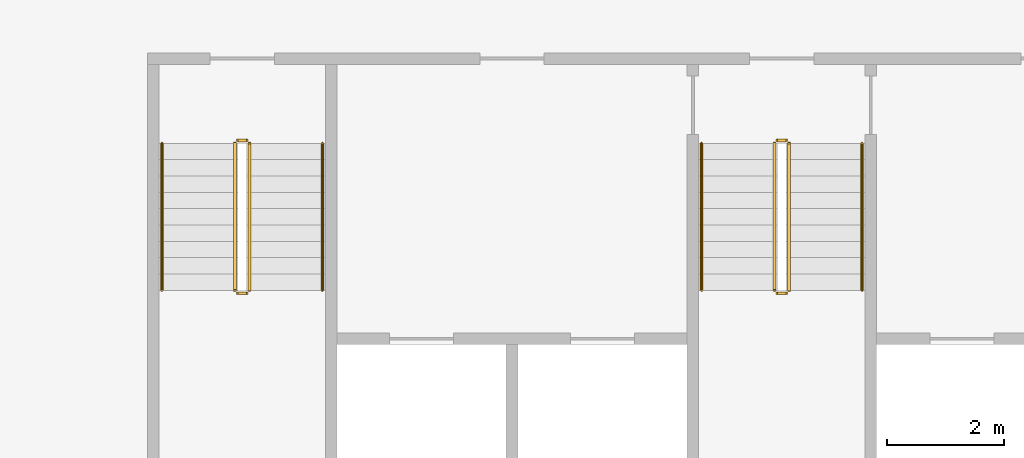
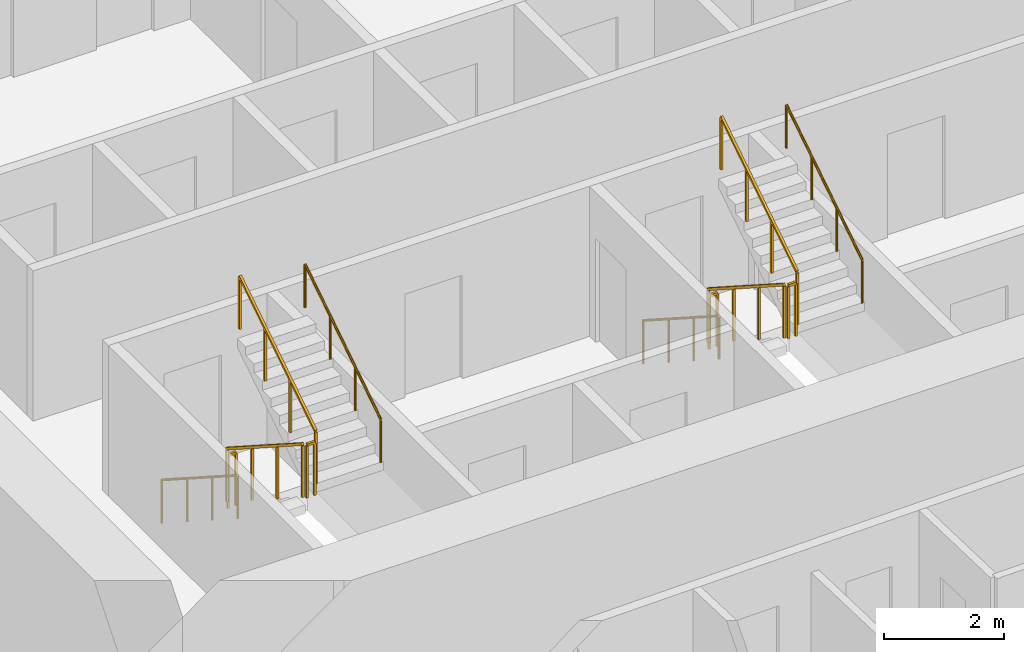
# One storey, part 15 of 17: 12 railings.
"""IFC4 building model written with IfcOpenShell, lengths in metres."""

from ifc_helpers import new_model, si_unit, direction, frame, origin, origin_2d, place, context, subcontext, project, spatial, rectangle, circle, extrude, material, type_object, element, save


model = new_model("IFC4")

# Units and contexts
model_context = context("Model", 3, precision=1e-05, world=origin(), true_north=direction((0.0, 1.0)))
body_context = subcontext(model_context, "Body", "Model", "MODEL_VIEW")
ifc_project = project(units=[si_unit("LENGTHUNIT", "METRE"), si_unit("AREAUNIT", "SQUARE_METRE"), si_unit("VOLUMEUNIT", "CUBIC_METRE"), si_unit("PLANEANGLEUNIT", "RADIAN"), si_unit("MASSUNIT", "GRAM", prefix="KILO")], contexts=[model_context])

# Site, building, storey
site_placement = place(None, origin())
site = spatial("IfcSite", under=ifc_project, at=site_placement, CompositionType="ELEMENT")
building_placement = place(site_placement, origin())
building = spatial("IfcBuilding", under=site, at=building_placement, Name="Mangrove Gate Tower", CompositionType="ELEMENT")
storey_placement = place(building_placement, frame((0.0, 0.0, 79.300048828125)))
storey = spatial("IfcBuildingStorey", under=building, at=storey_placement, Name="L19", CompositionType="ELEMENT", Elevation=79.300048828125)

# Railings
ifc_material_1 = material(Name="Stainless steel 316", Category="steel")
railing_type_1 = type_object("IfcRailingType", Name="Core stair guard 1100", PredefinedType="GUARDRAIL", material=ifc_material_1)
railing_1_placement = place(storey_placement, frame((-9.39990234375, -4.64990234375, 0.179931640625)))
element("IfcRailing", 1, at=railing_1_placement, inside=storey, type_object=railing_type_1, Name="L19 ST1 stair guard 1", PredefinedType="GUARDRAIL", context=body_context, shape_type="SweptSolid", body=[
    extrude(rectangle(XDim=0.048095703125, YDim=0.048095703125, at=origin_2d()), frame((0.0, 0.0, 1.076171875), z_axis=(0.0, -0.841162588446, 0.540782303519), x_axis=(1.0, 0.0, 0.0)), (0.0, 0.0, 1.0), 2.995849609375),
    extrude(rectangle(XDim=0.0419921875, YDim=0.0419921875, at=origin_2d()), origin(), (0.0, 0.0, 1.0), 1.052001953125),
    extrude(rectangle(XDim=0.0419921875, YDim=0.0419921875, at=origin_2d()), frame((0.0, -0.840087890625, 0.5400390625)), (0.0, 0.0, 1.0), 1.052001953125),
    extrude(rectangle(XDim=0.0419921875, YDim=0.0419921875, at=origin_2d()), frame((0.0, -1.679931640625, 1.080078125)), (0.0, 0.0, 1.0), 1.052001953125),
    extrude(rectangle(XDim=0.0419921875, YDim=0.0419921875, at=origin_2d()), frame((0.0, -2.52001953125, 1.6201171875)), (0.0, 0.0, 1.0), 1.052001953125),
])
railing_2_placement = place(storey_placement, frame((-9.35009765625, -7.219970703125, 1.800048828125)))
element("IfcRailing", 2, at=railing_2_placement, inside=storey, type_object=railing_type_1, Name="L19 ST1 stair guard 2", PredefinedType="GUARDRAIL", context=body_context, shape_type="SweptSolid", body=[
    extrude(rectangle(XDim=0.048095703125, YDim=0.048095703125, at=origin_2d()), frame((0.0, 0.0, 1.076171875), z_axis=(1.0, 0.0, 0.0), x_axis=(0.0, 1.0, 0.0)), (0.0, 0.0, 1.0), 0.150146484375),
    extrude(rectangle(XDim=0.0419921875, YDim=0.0419921875, at=origin_2d()), origin(), (0.0, 0.0, 1.0), 1.052001953125),
    extrude(rectangle(XDim=0.0419921875, YDim=0.0419921875, at=origin_2d()), frame((0.150146484375, 0.0, 0.0)), (0.0, 0.0, 1.0), 1.052001953125),
])
railing_3_placement = place(storey_placement, frame((-9.14990234375, -7.169921875, 1.97998046875)))
element("IfcRailing", 3, at=railing_3_placement, inside=storey, type_object=railing_type_1, Name="L19 ST1 stair guard 3", PredefinedType="GUARDRAIL", context=body_context, shape_type="SweptSolid", body=[
    extrude(rectangle(XDim=0.048095703125, YDim=0.048095703125, at=origin_2d()), frame((0.0, 0.0, 1.076171875), z_axis=(0.0, 0.841199657755, 0.540724639528), x_axis=(-1.0, 0.0, 0.0)), (0.0, 0.0, 1.0), 2.995849609375),
    extrude(rectangle(XDim=0.0419921875, YDim=0.0419921875, at=origin_2d()), origin(), (0.0, 0.0, 1.0), 1.052001953125),
    extrude(rectangle(XDim=0.0419921875, YDim=0.0419921875, at=origin_2d()), frame((0.0, 0.840087890625, 0.5400390625)), (0.0, 0.0, 1.0), 1.052001953125),
    extrude(rectangle(XDim=0.0419921875, YDim=0.0419921875, at=origin_2d()), frame((0.0, 1.679931640625, 1.079833984375)), (0.0, 0.0, 1.0), 1.052001953125),
    extrude(rectangle(XDim=0.0419921875, YDim=0.0419921875, at=origin_2d()), frame((0.0, 2.52001953125, 1.619873046875)), (0.0, 0.0, 1.0), 1.052001953125),
])
railing_4_placement = place(storey_placement, frame((-9.35009765625, -4.60009765625, 0.0)))
element("IfcRailing", 4, at=railing_4_placement, inside=storey, type_object=railing_type_1, Name="L19 ST1 stair guard 4", PredefinedType="GUARDRAIL", context=body_context, shape_type="SweptSolid", body=[
    extrude(rectangle(XDim=0.048095703125, YDim=0.048095703125, at=origin_2d()), frame((0.0, 0.0, 1.076171875), z_axis=(1.0, 0.0, 0.0), x_axis=(0.0, 1.0, 0.0)), (0.0, 0.0, 1.0), 0.150146484375),
    extrude(rectangle(XDim=0.0419921875, YDim=0.0419921875, at=origin_2d()), origin(), (0.0, 0.0, 1.0), 1.052001953125),
    extrude(rectangle(XDim=0.0419921875, YDim=0.0419921875, at=origin_2d()), frame((0.150146484375, 0.0, 0.0)), (0.0, 0.0, 1.0), 1.052001953125),
])
railing_5_placement = place(storey_placement, frame((-0.14990234375, -4.64990234375, 0.179931640625)))
element("IfcRailing", 5, at=railing_5_placement, inside=storey, type_object=railing_type_1, Name="L19 ST2 stair guard 1", PredefinedType="GUARDRAIL", context=body_context, shape_type="SweptSolid", body=[
    extrude(rectangle(XDim=0.048095703125, YDim=0.048095703125, at=origin_2d()), frame((0.0, 0.0, 1.076171875), z_axis=(0.0, -0.841162588446, 0.540782303519), x_axis=(1.0, 0.0, 0.0)), (0.0, 0.0, 1.0), 2.995849609375),
    extrude(rectangle(XDim=0.0419921875, YDim=0.0419921875, at=origin_2d()), origin(), (0.0, 0.0, 1.0), 1.052001953125),
    extrude(rectangle(XDim=0.0419921875, YDim=0.0419921875, at=origin_2d()), frame((0.0, -0.840087890625, 0.5400390625)), (0.0, 0.0, 1.0), 1.052001953125),
    extrude(rectangle(XDim=0.0419921875, YDim=0.0419921875, at=origin_2d()), frame((0.0, -1.679931640625, 1.080078125)), (0.0, 0.0, 1.0), 1.052001953125),
    extrude(rectangle(XDim=0.0419921875, YDim=0.0419921875, at=origin_2d()), frame((0.0, -2.52001953125, 1.6201171875)), (0.0, 0.0, 1.0), 1.052001953125),
])
railing_6_placement = place(storey_placement, frame((-0.10009765625, -7.219970703125, 1.800048828125)))
element("IfcRailing", 6, at=railing_6_placement, inside=storey, type_object=railing_type_1, Name="L19 ST2 stair guard 2", PredefinedType="GUARDRAIL", context=body_context, shape_type="SweptSolid", body=[
    extrude(rectangle(XDim=0.048095703125, YDim=0.048095703125, at=origin_2d()), frame((0.0, 0.0, 1.076171875), z_axis=(1.0, 0.0, 0.0), x_axis=(0.0, 1.0, 0.0)), (0.0, 0.0, 1.0), 0.150146484375),
    extrude(rectangle(XDim=0.0419921875, YDim=0.0419921875, at=origin_2d()), origin(), (0.0, 0.0, 1.0), 1.052001953125),
    extrude(rectangle(XDim=0.0419921875, YDim=0.0419921875, at=origin_2d()), frame((0.150146484375, 0.0, 0.0)), (0.0, 0.0, 1.0), 1.052001953125),
])
railing_7_placement = place(storey_placement, frame((0.10009765625, -7.169921875, 1.97998046875)))
element("IfcRailing", 7, at=railing_7_placement, inside=storey, type_object=railing_type_1, Name="L19 ST2 stair guard 3", PredefinedType="GUARDRAIL", context=body_context, shape_type="SweptSolid", body=[
    extrude(rectangle(XDim=0.048095703125, YDim=0.048095703125, at=origin_2d()), frame((0.0, 0.0, 1.076171875), z_axis=(0.0, 0.841199657755, 0.540724639528), x_axis=(-1.0, 0.0, 0.0)), (0.0, 0.0, 1.0), 2.995849609375),
    extrude(rectangle(XDim=0.0419921875, YDim=0.0419921875, at=origin_2d()), origin(), (0.0, 0.0, 1.0), 1.052001953125),
    extrude(rectangle(XDim=0.0419921875, YDim=0.0419921875, at=origin_2d()), frame((0.0, 0.840087890625, 0.5400390625)), (0.0, 0.0, 1.0), 1.052001953125),
    extrude(rectangle(XDim=0.0419921875, YDim=0.0419921875, at=origin_2d()), frame((0.0, 1.679931640625, 1.079833984375)), (0.0, 0.0, 1.0), 1.052001953125),
    extrude(rectangle(XDim=0.0419921875, YDim=0.0419921875, at=origin_2d()), frame((0.0, 2.52001953125, 1.619873046875)), (0.0, 0.0, 1.0), 1.052001953125),
])
railing_8_placement = place(storey_placement, frame((-0.10009765625, -4.60009765625, 0.0)))
element("IfcRailing", 8, at=railing_8_placement, inside=storey, type_object=railing_type_1, Name="L19 ST2 stair guard 4", PredefinedType="GUARDRAIL", context=body_context, shape_type="SweptSolid", body=[
    extrude(rectangle(XDim=0.048095703125, YDim=0.048095703125, at=origin_2d()), frame((0.0, 0.0, 1.076171875), z_axis=(1.0, 0.0, 0.0), x_axis=(0.0, 1.0, 0.0)), (0.0, 0.0, 1.0), 0.150146484375),
    extrude(rectangle(XDim=0.0419921875, YDim=0.0419921875, at=origin_2d()), origin(), (0.0, 0.0, 1.0), 1.052001953125),
    extrude(rectangle(XDim=0.0419921875, YDim=0.0419921875, at=origin_2d()), frame((0.150146484375, 0.0, 0.0)), (0.0, 0.0, 1.0), 1.052001953125),
])
ifc_material_2 = material(Name="Stainless steel 316", Category="steel")
railing_type_2 = type_object("IfcRailingType", Name="Core stair handrail 900", PredefinedType="HANDRAIL", material=ifc_material_2)
railing_9_placement = place(storey_placement, frame((-10.64990234375, -4.64990234375, 0.179931640625)))
element("IfcRailing", 9, at=railing_9_placement, inside=storey, type_object=railing_type_2, Name="L19 ST1 stair handrail 1", PredefinedType="HANDRAIL", context=body_context, shape_type="SweptSolid", body=[
    extrude(circle(Radius=0.02392578125, at=origin_2d()), frame((0.0, 0.0, 0.8759765625), z_axis=(0.0, -0.841162588446, 0.540782303519), x_axis=(1.0, 0.0, 0.0)), (0.0, 0.0, 1.0), 2.995849609375),
    extrude(circle(Radius=0.02099609375, at=origin_2d()), origin(), (0.0, 0.0, 1.0), 0.851806640625),
    extrude(circle(Radius=0.02099609375, at=origin_2d()), frame((0.0, -0.840087890625, 0.5400390625)), (0.0, 0.0, 1.0), 0.851806640625),
    extrude(circle(Radius=0.02099609375, at=origin_2d()), frame((0.0, -1.679931640625, 1.080078125)), (0.0, 0.0, 1.0), 0.851806640625),
    extrude(circle(Radius=0.02099609375, at=origin_2d()), frame((0.0, -2.52001953125, 1.6201171875)), (0.0, 0.0, 1.0), 0.851806640625),
])
railing_10_placement = place(storey_placement, frame((-7.89990234375, -7.169921875, 1.97998046875)))
element("IfcRailing", 10, at=railing_10_placement, inside=storey, type_object=railing_type_2, Name="L19 ST1 stair handrail 2", PredefinedType="HANDRAIL", context=body_context, shape_type="SweptSolid", body=[
    extrude(circle(Radius=0.02392578125, at=origin_2d()), frame((0.0, 0.0, 0.8759765625), z_axis=(0.0, 0.841199657755, 0.540724639528), x_axis=(-1.0, 0.0, 0.0)), (0.0, 0.0, 1.0), 2.995849609375),
    extrude(circle(Radius=0.02099609375, at=origin_2d()), origin(), (0.0, 0.0, 1.0), 0.851806640625),
    extrude(circle(Radius=0.02099609375, at=origin_2d()), frame((0.0, 0.840087890625, 0.5400390625)), (0.0, 0.0, 1.0), 0.851806640625),
    extrude(circle(Radius=0.02099609375, at=origin_2d()), frame((0.0, 1.679931640625, 1.079833984375)), (0.0, 0.0, 1.0), 0.851806640625),
    extrude(circle(Radius=0.02099609375, at=origin_2d()), frame((0.0, 2.52001953125, 1.619873046875)), (0.0, 0.0, 1.0), 0.851806640625),
])
railing_11_placement = place(storey_placement, frame((-1.39990234375, -4.64990234375, 0.179931640625)))
element("IfcRailing", 11, at=railing_11_placement, inside=storey, type_object=railing_type_2, Name="L19 ST2 stair handrail 1", PredefinedType="HANDRAIL", context=body_context, shape_type="SweptSolid", body=[
    extrude(circle(Radius=0.02392578125, at=origin_2d()), frame((0.0, 0.0, 0.8759765625), z_axis=(0.0, -0.841162588446, 0.540782303519), x_axis=(1.0, 0.0, 0.0)), (0.0, 0.0, 1.0), 2.995849609375),
    extrude(circle(Radius=0.02099609375, at=origin_2d()), origin(), (0.0, 0.0, 1.0), 0.851806640625),
    extrude(circle(Radius=0.02099609375, at=origin_2d()), frame((0.0, -0.840087890625, 0.5400390625)), (0.0, 0.0, 1.0), 0.851806640625),
    extrude(circle(Radius=0.02099609375, at=origin_2d()), frame((0.0, -1.679931640625, 1.080078125)), (0.0, 0.0, 1.0), 0.851806640625),
    extrude(circle(Radius=0.02099609375, at=origin_2d()), frame((0.0, -2.52001953125, 1.6201171875)), (0.0, 0.0, 1.0), 0.851806640625),
])
railing_12_placement = place(storey_placement, frame((1.35009765625, -7.169921875, 1.97998046875)))
element("IfcRailing", 12, at=railing_12_placement, inside=storey, type_object=railing_type_2, Name="L19 ST2 stair handrail 2", PredefinedType="HANDRAIL", context=body_context, shape_type="SweptSolid", body=[
    extrude(circle(Radius=0.02392578125, at=origin_2d()), frame((0.0, 0.0, 0.8759765625), z_axis=(0.0, 0.841199657755, 0.540724639528), x_axis=(-1.0, 0.0, 0.0)), (0.0, 0.0, 1.0), 2.995849609375),
    extrude(circle(Radius=0.02099609375, at=origin_2d()), origin(), (0.0, 0.0, 1.0), 0.851806640625),
    extrude(circle(Radius=0.02099609375, at=origin_2d()), frame((0.0, 0.840087890625, 0.5400390625)), (0.0, 0.0, 1.0), 0.851806640625),
    extrude(circle(Radius=0.02099609375, at=origin_2d()), frame((0.0, 1.679931640625, 1.079833984375)), (0.0, 0.0, 1.0), 0.851806640625),
    extrude(circle(Radius=0.02099609375, at=origin_2d()), frame((0.0, 2.52001953125, 1.619873046875)), (0.0, 0.0, 1.0), 0.851806640625),
])

save(model, "model.ifc")
